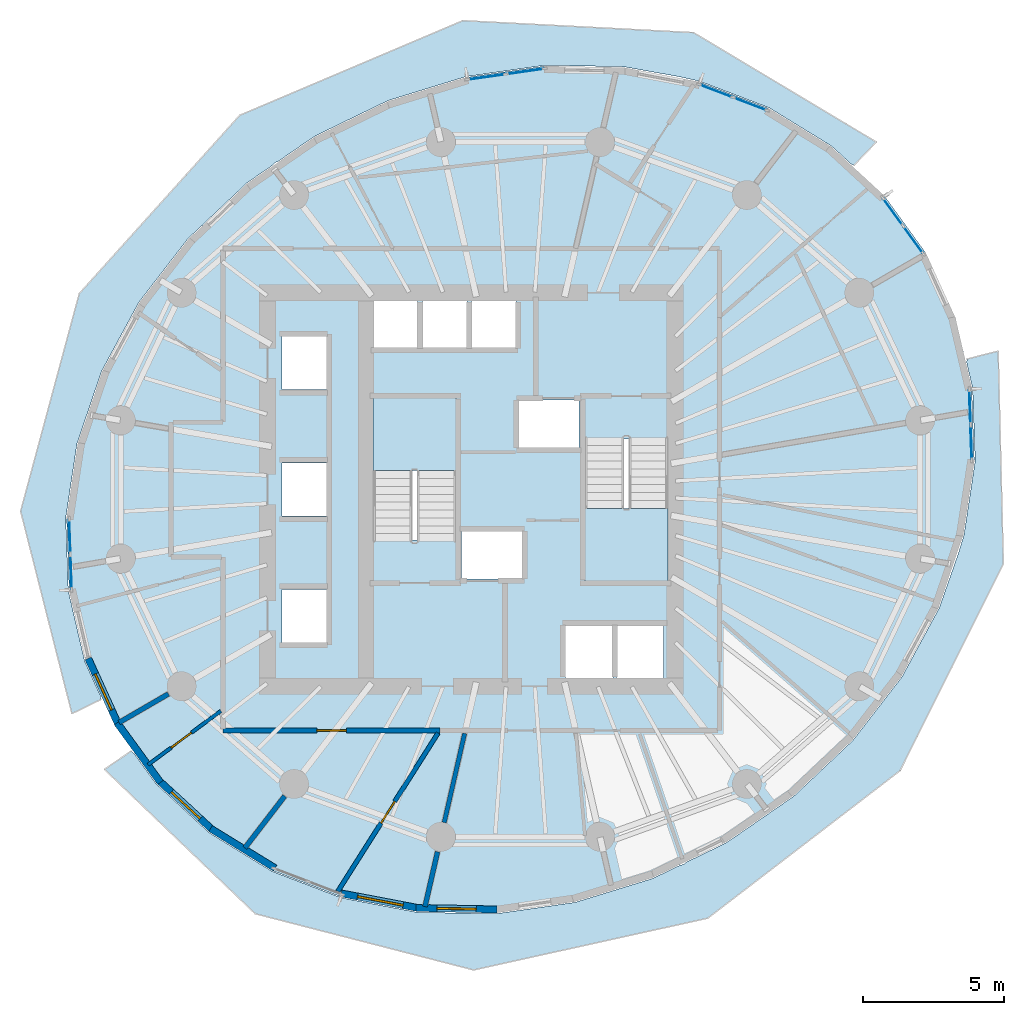
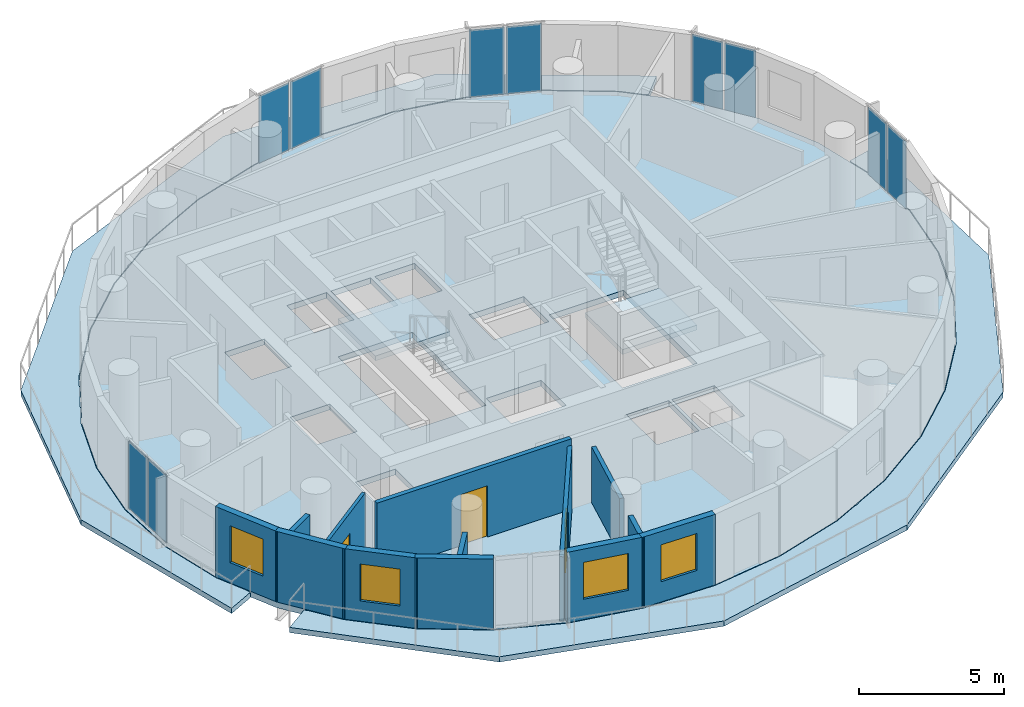
# One storey, part 5 of 14: 13 walls, 10 plates, 5 slabs, 4 windows, 3 doors, 7 openings, 7 elements without a shape of their own.
"""IFC4 building model written with IfcOpenShell, lengths in metres."""

import ifcopenshell
import ifcopenshell.guid

model = None  # the IFC model being written
_history = None  # IfcOwnerHistory: only IFC2X3 demands one
_inside = {}  # id of a spatial element -> (the spatial element, [elements in it])
_under = {}  # id of a project, library or spatial element -> (it, [spatial elements below it])
_declared = {}  # id of a project -> (the project, [libraries it declares])
_typed = {}  # id of a type object -> (the type object, [elements of that type])
_made_of = {}  # id of a material, layer set ... -> (it, [elements and type objects made of it])


def new_model(schema):
    """Start an empty IFC model of exactly this schema.

    Asked for "IFC4X3", IfcOpenShell would pick the latest addendum, in which some entities
    have other attributes; the version numbers below select the first issue.
    IFC2X3 requires an IfcOwnerHistory on every rooted entity: one is made here for all.
    """
    global model, _history
    if schema == "IFC4X3":
        model = ifcopenshell.file(schema_version=(4, 3, 0, 0))
    else:
        model = ifcopenshell.file(schema=schema)
    _inside.clear()
    _under.clear()
    _declared.clear()
    _typed.clear()
    _made_of.clear()
    _history = None
    if model.schema == "IFC2X3":
        org = make("IfcOrganization", Name="unknown")
        user = make(
            "IfcPersonAndOrganization",
            ThePerson=make("IfcPerson", FamilyName="unknown"),
            TheOrganization=org,
        )
        app = make(
            "IfcApplication",
            ApplicationDeveloper=org,
            Version="unknown",
            ApplicationFullName="unknown",
            ApplicationIdentifier="unknown",
        )
        _history = make(
            "IfcOwnerHistory",
            OwningUser=user,
            OwningApplication=app,
            ChangeAction="ADDED",
            CreationDate=0,
        )
    return model


def make(cls, **values):
    """One entity of the class cls with the attributes given. An attribute that is None is left unset."""
    return model.create_entity(
        cls, **{name: value for name, value in values.items() if value is not None}
    )


def rooted(cls, **values):
    """An entity with a GlobalId (a new one), such as an element, a storey or a relation."""
    return make(cls, GlobalId=ifcopenshell.guid.new(), OwnerHistory=_history, **values)


def si_unit(unit_type, name, prefix=None):
    """IfcSIUnit, for example si_unit("LENGTHUNIT", "METRE", prefix="MILLI")."""
    return make("IfcSIUnit", UnitType=unit_type, Prefix=prefix, Name=name)


def assignment(units):
    """IfcUnitAssignment: the units of a project."""
    return None if units is None else make("IfcUnitAssignment", Units=units)


def point(xyz):
    """IfcCartesianPoint."""
    return None if xyz is None else make("IfcCartesianPoint", Coordinates=xyz)


def direction(xyz):
    """IfcDirection."""
    return None if xyz is None else make("IfcDirection", DirectionRatios=xyz)


def frame(location, z_axis=None, x_axis=None):
    """IfcAxis2Placement3D, a coordinate frame: its origin and axes. An axis left out is left unset."""
    return make(
        "IfcAxis2Placement3D",
        Location=point(location),
        Axis=direction(z_axis),
        RefDirection=direction(x_axis),
    )


def frame_2d(location, x_axis=None):
    """IfcAxis2Placement2D, a coordinate frame in the plane: its origin and x axis."""
    return make(
        "IfcAxis2Placement2D", Location=point(location), RefDirection=direction(x_axis)
    )


def origin():
    """The frame at (0, 0, 0) with its axes left unset."""
    return frame((0.0, 0.0, 0.0))


def origin_2d():
    """The frame at (0, 0) in the plane with its x axis left unset."""
    return frame_2d((0.0, 0.0))


def place(relative_to, where):
    """IfcLocalPlacement: puts the frame where relative to a parent placement (None: the world)."""
    return make(
        "IfcLocalPlacement", PlacementRelTo=relative_to, RelativePlacement=where
    )


def context(
    kind, dimensions, precision=None, world=None, true_north=None, identifier=None
):
    """IfcGeometricRepresentationContext, for example the 3D "Model" context."""
    return make(
        "IfcGeometricRepresentationContext",
        ContextIdentifier=identifier,
        ContextType=kind,
        CoordinateSpaceDimension=dimensions,
        Precision=precision,
        WorldCoordinateSystem=world,
        TrueNorth=true_north,
    )


def subcontext(parent, identifier, kind, view, scale=None):
    """IfcGeometricRepresentationSubContext, for example "Body" below "Model"."""
    return make(
        "IfcGeometricRepresentationSubContext",
        ContextIdentifier=identifier,
        ContextType=kind,
        ParentContext=parent,
        TargetScale=scale,
        TargetView=view,
    )


def project(units=None, contexts=None):
    """IfcProject with its units and contexts."""
    return rooted(
        "IfcProject",
        Name="project",
        RepresentationContexts=contexts,
        UnitsInContext=assignment(units),
    )


def spatial(cls, under=None, at=None, **own):
    """A site, building, storey or space (cls), placed at a placement, below another one or the project."""
    s = rooted(cls, ObjectPlacement=at, **own)
    if under is not None:
        _under.setdefault(under.id(), (under, []))[1].append(s)
    return s


def polyline(points):
    """IfcPolyline through the points."""
    return make("IfcPolyline", Points=[point(p) for p in points])


def profile(cls, at=None, kind="AREA", **sizes):
    """A parametric profile (cls). Its sizes go by their IFC names, for example OverallWidth=200.0."""
    return make(cls, ProfileType=kind, Position=at, **sizes)


def rectangle(**sizes):
    """IfcRectangleProfileDef."""
    return profile("IfcRectangleProfileDef", **sizes)


def outline(outer, holes=None, kind="AREA"):
    """IfcArbitraryClosedProfileDef: a profile drawn as a closed curve; with holes, ...WithVoids."""
    if holes is None:
        return make("IfcArbitraryClosedProfileDef", ProfileType=kind, OuterCurve=outer)
    return make(
        "IfcArbitraryProfileDefWithVoids",
        ProfileType=kind,
        OuterCurve=outer,
        InnerCurves=holes,
    )


def extrude(swept, where, along, depth):
    """IfcExtrudedAreaSolid: the profile swept, set in the frame where, extruded along a direction by depth."""
    return make(
        "IfcExtrudedAreaSolid",
        SweptArea=swept,
        Position=where,
        ExtrudedDirection=direction(along),
        Depth=depth,
    )


def shape(context_of_items, identifier, shape_type, items):
    """IfcShapeRepresentation: the items that make up one representation, for example the "Body"."""
    return make(
        "IfcShapeRepresentation",
        ContextOfItems=context_of_items,
        RepresentationIdentifier=identifier,
        RepresentationType=shape_type,
        Items=items,
    )


def material(Name=None, Category=None):
    """IfcMaterial."""
    return make("IfcMaterial", Name=Name, Category=Category)


def layer(
    of_material, thickness, ventilated=None, Name=None, Category=None, Priority=None
):
    """IfcMaterialLayer: one layer of a wall or slab, of a material (None: an air gap)."""
    return make(
        "IfcMaterialLayer",
        Material=of_material,
        LayerThickness=thickness,
        IsVentilated=ventilated,
        Name=Name,
        Category=Category,
        Priority=Priority,
    )


def layer_set(layers, Name=None):
    """IfcMaterialLayerSet."""
    return make("IfcMaterialLayerSet", MaterialLayers=layers, LayerSetName=Name)


def made_of(thing, what):
    """Note that an element or type object is made of a material, layer set ...; save() writes the relation."""
    if what is not None:
        _made_of.setdefault(what.id(), (what, []))[1].append(thing)
    return thing


def type_object(cls, material=None, **own):
    """A type object (cls), such as IfcWallType, which elements share."""
    return made_of(rooted(cls, **own), material)


def element(
    cls,
    number,
    at=None,
    inside=None,
    cuts=None,
    type_object=None,
    material=None,
    context=None,
    identifier="Body",
    shape_type=None,
    held_by="IfcProductDefinitionShape",
    body=None,
    shapes=None,
    **own,
):
    """One element of the class cls, such as IfcWall. Its Tag is "e" and its number.

    at: its placement. inside: the storey or other place that contains it. cuts: it is an
    opening in that element (IfcRelVoidsElement). A single representation is given by context,
    identifier, shape_type and body (its items); several are given by shapes. held_by: the class
    of the entity that holds the representations. save() writes the other relations.
    """
    e = rooted(cls, Tag="e%d" % number, ObjectPlacement=at, **own)
    if body is not None:
        shapes = [shape(context, identifier, shape_type, body)]
    if shapes is not None:
        e.Representation = make(held_by, Representations=shapes)
    if inside is not None:
        _inside.setdefault(inside.id(), (inside, []))[1].append(e)
    if cuts is not None:
        rooted(
            "IfcRelVoidsElement", RelatingBuildingElement=cuts, RelatedOpeningElement=e
        )
    if type_object is not None:
        _typed.setdefault(type_object.id(), (type_object, []))[1].append(e)
    return made_of(e, material)


def fill(opening, filler):
    """IfcRelFillsElement: the door or window that sits in an opening."""
    return rooted(
        "IfcRelFillsElement",
        RelatingOpeningElement=opening,
        RelatedBuildingElement=filler,
    )


def aggregate(whole, parts):
    """IfcRelAggregates: a whole, such as a stair, and the parts it consists of."""
    return rooted("IfcRelAggregates", RelatingObject=whole, RelatedObjects=parts)


def save(model, path):
    """Write the relations noted so far, then the file.

    IfcRelAggregates (storeys below a building ...), IfcRelContainedInSpatialStructure (elements
    in a storey), IfcRelDefinesByType, IfcRelAssociatesMaterial and IfcRelDeclares: one each for
    every whole, place, type object, material and project.
    """
    for whole, parts in _under.values():
        aggregate(whole, parts)
    for where, things in _inside.values():
        rooted(
            "IfcRelContainedInSpatialStructure",
            RelatedElements=things,
            RelatingStructure=where,
        )
    for kind, things in _typed.values():
        rooted("IfcRelDefinesByType", RelatedObjects=things, RelatingType=kind)
    for what, things in _made_of.values():
        rooted("IfcRelAssociatesMaterial", RelatedObjects=things, RelatingMaterial=what)
    for by, libraries in _declared.values():
        rooted("IfcRelDeclares", RelatingContext=by, RelatedDefinitions=libraries)
    model.write(path)


model = new_model("IFC4")

# Units and contexts
model_context = context("Model", 3, precision=1e-05, world=origin(), true_north=direction((0.0, 1.0)))
body_context = subcontext(model_context, "Body", "Model", "MODEL_VIEW")
ifc_project = project(units=[si_unit("LENGTHUNIT", "METRE"), si_unit("AREAUNIT", "SQUARE_METRE"), si_unit("VOLUMEUNIT", "CUBIC_METRE"), si_unit("PLANEANGLEUNIT", "RADIAN"), si_unit("MASSUNIT", "GRAM", prefix="KILO")], contexts=[model_context])

# Site, building, storey
site_placement = place(None, origin())
site = spatial("IfcSite", under=ifc_project, at=site_placement, CompositionType="ELEMENT")
building_placement = place(site_placement, origin())
building = spatial("IfcBuilding", under=site, at=building_placement, Name="Veldorim Arch Residences", CompositionType="ELEMENT")
storey_placement = place(building_placement, frame((0.0, 0.0, 123.360107421875)))
storey = spatial("IfcBuildingStorey", under=building, at=storey_placement, Name="L36", CompositionType="ELEMENT", Elevation=123.360107421875)

# Slabs
ifc_material_1 = material(Name="Concrete C40/50", Category="concrete")
ifc_layer_1 = layer(ifc_material_1, 0.219970703125, Name="Planted Crescent Cantilever Balcony Slab 220")
ifc_layer_set_1 = layer_set([ifc_layer_1], Name="Concrete C40/50")
slab_type_1 = type_object("IfcSlabType", Name="Planted Crescent Cantilever Balcony Slab 220", PredefinedType="FLOOR", material=ifc_layer_set_1)
slab_1_placement = place(storey_placement, frame((0.0, 0.0, -0.22021484375)))
element("IfcSlab", 1, at=slab_1_placement, inside=storey, type_object=slab_type_1, Name="L36 planted crescent balcony slab A", PredefinedType="FLOOR", context=body_context, shape_type="SweptSolid", body=[
    extrude(outline(polyline([(43.74560546875, 35.593017578125), (43.071533203125, 36.213623046875), (40.849365234375, 37.578369140625), (38.358642578125, 38.5302734375), (37.673095703125, 38.68115234375), (35.674560546875, 39.04052734375), (32.87939453125, 39.09375), (30.057373046875, 38.688720703125), (27.294677734375, 37.83740234375), (24.6748046875, 36.56591796875), (23.388916015625, 35.67919921875), (23.24951171875, 35.617919921875), (23.159423828125, 35.52099609375), (22.27734375, 34.91259765625), (20.17529296875, 32.927978515625), (18.432373046875, 30.672119140625), (17.101318359375, 28.213134765625), (16.222900390625, 25.626220703125), (15.823974609375, 22.98974609375), (15.91650390625, 20.3837890625), (16.498046875, 17.887451171875), (17.048583984375, 16.678955078125), (17.075439453125, 16.53125), (16.0419921875, 16.026611328125), (14.21630859375, 23.227783203125), (16.30322265625, 30.971435546875), (22.011962890625, 37.314208984375), (29.949951171875, 40.68115234375), (38.159423828125, 40.25537109375), (44.6591796875, 36.36328125), (43.863037109375, 35.533447265625), (43.74560546875, 35.593017578125)])), origin(), (0.0, 0.0, 1.0), 0.22021484375),
])
slab_2_placement = place(storey_placement, frame((0.0, 0.0, -0.22021484375)))
element("IfcSlab", 2, at=slab_2_placement, inside=storey, type_object=slab_type_1, Name="L36 planted crescent balcony slab B", PredefinedType="FLOOR", context=body_context, shape_type="SweptSolid", body=[
    extrude(outline(polyline([(18.262451171875, 14.5966796875), (19.042724609375, 13.522216796875), (20.928466796875, 11.786376953125), (23.150634765625, 10.421630859375), (25.641357421875, 9.4697265625), (28.325439453125, 8.95947265625), (31.12060546875, 8.90625), (33.942626953125, 9.311279296875), (36.705322265625, 10.16259765625), (37.66943359375, 10.630615234375), (37.798095703125, 10.6611328125), (37.919921875, 10.752197265625), (39.3251953125, 11.43408203125), (41.72265625, 13.08740234375), (43.82470703125, 15.072021484375), (45.567626953125, 17.327880859375), (46.898681640625, 19.786865234375), (47.570556640625, 21.702880859375), (47.777099609375, 22.373779296875), (48.176025390625, 25.01025390625), (48.08349609375, 27.6162109375), (47.87548828125, 28.50830078125), (47.881591796875, 28.64013671875), (48.995849609375, 28.924072265625), (49.18017578125, 21.3505859375), (45.505615234375, 13.996826171875), (38.664306640625, 8.748291015625), (30.332275390625, 6.906005859375), (22.5654296875, 8.905517578125), (17.19873046875, 14.04248046875), (18.147216796875, 14.69287109375), (18.262451171875, 14.5966796875)])), origin(), (0.0, 0.0, 1.0), 0.22021484375),
])

# Stair, slab
ifc_material_2 = material(Name="Concrete C40/50", Category="concrete")
stair_type = type_object("IfcStairType", Name="Reinforced Concrete Dogleg Exit Staircase", PredefinedType="HALF_TURN_STAIR", material=ifc_material_2)
stair_1_placement = place(storey_placement, origin())
stair_1 = element("IfcStair", 3, at=stair_1_placement, inside=storey, type_object=stair_type, Name="L36 Exit Staircase ST-1", PredefinedType="HALF_TURN_STAIR")
ifc_material_3 = material(Name="Concrete C40/50", Category="concrete")
ifc_layer_2 = layer(ifc_material_3, 0.199951171875, Name="Reinforced Concrete Stair Landing 200")
ifc_layer_set_2 = layer_set([ifc_layer_2], Name="Concrete C40/50")
slab_type_2 = type_object("IfcSlabType", Name="Reinforced Concrete Stair Landing 200", PredefinedType="LANDING", material=ifc_layer_set_2)
slab_3_placement = place(storey_placement, frame((0.0, 0.0, 1.39990234375)))
slab_3 = element("IfcSlab", 4, at=slab_3_placement, type_object=slab_type_2, Name="ST-1 landing 1", PredefinedType="LANDING", context=body_context, shape_type="SweptSolid", body=[
    extrude(outline(polyline([(29.7099609375, 24.669921875), (29.7099609375, 27.25), (26.75, 27.25), (26.75, 24.669921875), (29.7099609375, 24.669921875)])), origin(), (0.0, 0.0, 1.0), 0.199951171875),
])
aggregate(stair_1, [slab_3])

stair_2_placement = place(storey_placement, origin())
stair_2 = element("IfcStair", 5, at=stair_2_placement, inside=storey, type_object=stair_type, Name="L36 Exit Staircase ST-2", PredefinedType="HALF_TURN_STAIR")
slab_4_placement = place(storey_placement, frame((0.0, 0.0, 1.39990234375)))
slab_4 = element("IfcSlab", 6, at=slab_4_placement, type_object=slab_type_2, Name="ST-2 landing 1", PredefinedType="LANDING", context=body_context, shape_type="SweptSolid", body=[
    extrude(outline(polyline([(34.2900390625, 23.330078125), (34.2900390625, 20.75), (37.25, 20.75), (37.25, 23.330078125), (34.2900390625, 23.330078125)])), origin(), (0.0, 0.0, 1.0), 0.199951171875),
])
aggregate(stair_2, [slab_4])

# Slab
ifc_material_4 = material(Name="Concrete C40/50", Category="concrete")
ifc_layer_3 = layer(ifc_material_4, 0.239990234375, Name="Typical Residential Floor Slab 240")
ifc_layer_set_3 = layer_set([ifc_layer_3], Name="Concrete C40/50")
slab_type_3 = type_object("IfcSlabType", Name="Typical Residential Floor Slab 240", PredefinedType="FLOOR", material=ifc_layer_set_3)
slab_5_placement = place(storey_placement, frame((0.0, 0.0, -0.239990234375)))
element("IfcSlab", 7, at=slab_5_placement, inside=storey, type_object=slab_type_3, Name="L36 tower structural floor slab", PredefinedType="FLOOR", context=body_context, shape_type="SweptSolid", body=[
    extrude(outline(polyline([(46.427490234375, 32.410400390625), (44.9384765625, 34.4609375), (43.056396484375, 36.193603515625), (40.83837890625, 37.555908203125), (38.351806640625, 38.506103515625), (35.672119140625, 39.015625), (32.880859375, 39.06884765625), (30.06298828125, 38.664306640625), (27.3037109375, 37.814208984375), (24.6875, 36.544189453125), (22.293212890625, 34.89306640625), (20.19384765625, 32.9111328125), (18.453369140625, 30.658203125), (17.12451171875, 28.203125), (16.247314453125, 25.620361328125), (15.84912109375, 22.98828125), (15.94140625, 20.38720703125), (16.521728515625, 17.8955078125), (17.572509765625, 15.589599609375), (19.0615234375, 13.5390625), (20.943603515625, 11.806396484375), (23.16162109375, 10.444091796875), (25.648193359375, 9.493896484375), (28.327880859375, 8.984375), (31.119140625, 8.93115234375), (33.93701171875, 9.335693359375), (36.6962890625, 10.185791015625), (39.3125, 11.455810546875), (41.706787109375, 13.10693359375), (43.80615234375, 15.0888671875), (45.546630859375, 17.341796875), (46.87548828125, 19.796875), (47.752685546875, 22.379638671875), (48.15087890625, 25.01171875), (48.05859375, 27.61279296875), (47.478271484375, 30.1044921875), (46.427490234375, 32.410400390625)]), holes=[polyline([(23.510009765625, 18.56005859375), (23.510009765625, 20.43994140625), (25.090087890625, 20.43994140625), (25.090087890625, 18.56005859375), (23.510009765625, 18.56005859375)]), polyline([(23.510009765625, 24.93994140625), (25.090087890625, 24.93994140625), (25.090087890625, 23.06005859375), (23.510009765625, 23.06005859375), (23.510009765625, 24.93994140625)]), polyline([(26.75, 27.25), (29.7099609375, 27.25), (29.7099609375, 22.195068359375), (26.75, 22.195068359375), (26.75, 27.25)]), polyline([(23.510009765625, 27.56005859375), (23.510009765625, 29.43994140625), (25.090087890625, 29.43994140625), (25.090087890625, 27.56005859375), (23.510009765625, 27.56005859375)]), polyline([(26.760009765625, 30.7900390625), (28.340087890625, 30.7900390625), (28.340087890625, 28.909912109375), (26.760009765625, 28.909912109375), (26.760009765625, 30.7900390625)]), polyline([(28.510009765625, 30.7900390625), (30.090087890625, 30.7900390625), (30.090087890625, 28.909912109375), (28.510009765625, 28.909912109375), (28.510009765625, 30.7900390625)]), polyline([(33.610107421875, 17.2099609375), (33.610107421875, 19.2900390625), (35.2900390625, 19.2900390625), (35.2900390625, 17.2099609375), (33.610107421875, 17.2099609375)]), polyline([(35.409912109375, 19.2900390625), (37.090087890625, 19.2900390625), (37.090087890625, 17.2099609375), (35.409912109375, 17.2099609375), (35.409912109375, 19.2900390625)]), polyline([(29.909912109375, 22.544921875), (32.090087890625, 22.544921875), (32.090087890625, 20.81494140625), (29.909912109375, 20.81494140625), (29.909912109375, 22.544921875)]), polyline([(34.2900390625, 20.75), (34.2900390625, 25.804931640625), (37.25, 25.804931640625), (37.25, 20.75), (34.2900390625, 20.75)]), polyline([(31.909912109375, 27.18505859375), (34.090087890625, 27.18505859375), (34.090087890625, 25.455078125), (31.909912109375, 25.455078125), (31.909912109375, 27.18505859375)]), polyline([(30.260009765625, 30.7900390625), (31.840087890625, 30.7900390625), (31.840087890625, 28.909912109375), (30.260009765625, 28.909912109375), (30.260009765625, 30.7900390625)])]), origin(), (0.0, 0.0, 1.0), 0.239990234375),
])

# Curtain wall, plates
ifc_material_5 = material(Name="Aluminium", Category="aluminium")
curtain_wall_type = type_object("IfcCurtainWallType", Name="Zone 3 High-Wind Unitised Curtain Wall", PredefinedType="NOTDEFINED", material=ifc_material_5)
curtain_wall_1_placement = place(storey_placement, origin())
curtain_wall_1 = element("IfcCurtainWall", 8, at=curtain_wall_1_placement, inside=storey, type_object=curtain_wall_type, Name="L36 unitised curtain wall bay 01", PredefinedType="NOTDEFINED")
ifc_material_6 = material(Name="Laminated Low-E Glass", Category="glass")
ifc_layer_4 = layer(ifc_material_6, 0.028076171875, Name="Zone 3 High-Wind Unitised Curtain Wall Glazing Panel 28")
ifc_layer_set_4 = layer_set([ifc_layer_4], Name="Laminated Low-E Glass")
plate_type = type_object("IfcPlateType", Name="Zone 3 High-Wind Unitised Curtain Wall Glazing Panel 28", PredefinedType="CURTAIN_PANEL", material=ifc_layer_set_4)
plate_1_placement = place(storey_placement, frame((45.248291015625, 33.88134765625, 0.06982421875), z_axis=(0.0, 0.0, 1.0), x_axis=(0.587584949886, -0.809162484713, 0.0)))
plate_1 = element("IfcPlate", 9, at=plate_1_placement, type_object=plate_type, Name="CW-Z3 panel 1.1", PredefinedType="CURTAIN_PANEL", context=body_context, shape_type="SweptSolid", body=[
    extrude(rectangle(XDim=1.162109375, YDim=0.028076171875, at=origin_2d()), origin(), (0.0, 0.0, 1.0), 2.820068359375),
])
plate_2_placement = place(storey_placement, frame((45.97216796875, 32.88427734375, 0.06982421875), z_axis=(0.0, 0.0, 1.0), x_axis=(0.587584949886, -0.809162484713, 0.0)))
plate_2 = element("IfcPlate", 10, at=plate_2_placement, type_object=plate_type, Name="CW-Z3 panel 2.1", PredefinedType="CURTAIN_PANEL", context=body_context, shape_type="SweptSolid", body=[
    extrude(rectangle(XDim=1.162109375, YDim=0.028076171875, at=origin_2d()), origin(), (0.0, 0.0, 1.0), 2.820068359375),
])
aggregate(curtain_wall_1, [plate_1, plate_2])

curtain_wall_2_placement = place(storey_placement, origin())
curtain_wall_2 = element("IfcCurtainWall", 11, at=curtain_wall_2_placement, inside=storey, type_object=curtain_wall_type, Name="L36 unitised curtain wall bay 04", PredefinedType="NOTDEFINED")
plate_3_placement = place(storey_placement, frame((38.95751953125, 38.17822265625, 0.06982421875), z_axis=(0.0, 0.0, 1.0), x_axis=(0.934109319568, -0.356987085335, 0.0)))
plate_3 = element("IfcPlate", 12, at=plate_3_placement, type_object=plate_type, Name="CW-Z3 panel 1.1", PredefinedType="CURTAIN_PANEL", context=body_context, shape_type="SweptSolid", body=[
    extrude(rectangle(XDim=1.22607421875, YDim=0.028076171875, at=origin_2d()), origin(), (0.0, 0.0, 1.0), 2.820068359375),
])
plate_4_placement = place(storey_placement, frame((40.168212890625, 37.715576171875, 0.06982421875), z_axis=(0.0, 0.0, 1.0), x_axis=(0.934109319568, -0.356987085335, 0.0)))
plate_4 = element("IfcPlate", 13, at=plate_4_placement, type_object=plate_type, Name="CW-Z3 panel 2.1", PredefinedType="CURTAIN_PANEL", context=body_context, shape_type="SweptSolid", body=[
    extrude(rectangle(XDim=1.22607421875, YDim=0.028076171875, at=origin_2d()), origin(), (0.0, 0.0, 1.0), 2.820068359375),
])
aggregate(curtain_wall_2, [plate_3, plate_4])

curtain_wall_3_placement = place(storey_placement, origin())
curtain_wall_3 = element("IfcCurtainWall", 14, at=curtain_wall_3_placement, inside=storey, type_object=curtain_wall_type, Name="L36 unitised curtain wall bay 07", PredefinedType="NOTDEFINED")
plate_5_placement = place(storey_placement, frame((30.797607421875, 38.6787109375, 0.06982421875), z_axis=(0.0, 0.0, 1.0), x_axis=(0.989849489651, 0.142119625096, 0.0)))
plate_5 = element("IfcPlate", 15, at=plate_5_placement, type_object=plate_type, Name="CW-Z3 panel 1.1", PredefinedType="CURTAIN_PANEL", context=body_context, shape_type="SweptSolid", body=[
    extrude(rectangle(XDim=1.318359375, YDim=0.028076171875, at=origin_2d()), origin(), (0.0, 0.0, 1.0), 2.820068359375),
])
plate_6_placement = place(storey_placement, frame((32.171875, 38.8759765625, 0.06982421875), z_axis=(0.0, 0.0, 1.0), x_axis=(0.989849489651, 0.142119625096, 0.0)))
plate_6 = element("IfcPlate", 16, at=plate_6_placement, type_object=plate_type, Name="CW-Z3 panel 2.1", PredefinedType="CURTAIN_PANEL", context=body_context, shape_type="SweptSolid", body=[
    extrude(rectangle(XDim=1.318359375, YDim=0.028076171875, at=origin_2d()), origin(), (0.0, 0.0, 1.0), 2.820068359375),
])
aggregate(curtain_wall_3, [plate_5, plate_6])

curtain_wall_4_placement = place(storey_placement, origin())
curtain_wall_4 = element("IfcCurtainWall", 17, at=curtain_wall_4_placement, inside=storey, type_object=curtain_wall_type, Name="L36 unitised curtain wall bay 16", PredefinedType="NOTDEFINED")
plate_7_placement = place(storey_placement, frame((16.007568359375, 21.05810546875, 0.06982421875), z_axis=(0.0, 0.0, 1.0), x_axis=(-0.035498313784, 0.999369736243, 0.0)))
plate_7 = element("IfcPlate", 18, at=plate_7_placement, type_object=plate_type, Name="CW-Z3 panel 1.1", PredefinedType="CURTAIN_PANEL", context=body_context, shape_type="SweptSolid", body=[
    extrude(rectangle(XDim=1.196533203125, YDim=0.028076171875, at=origin_2d()), origin(), (0.0, 0.0, 1.0), 2.820068359375),
])
plate_8_placement = place(storey_placement, frame((15.962646484375, 22.32373046875, 0.06982421875), z_axis=(0.0, 0.0, 1.0), x_axis=(-0.035498313784, 0.999369736243, 0.0)))
plate_8 = element("IfcPlate", 19, at=plate_8_placement, type_object=plate_type, Name="CW-Z3 panel 2.1", PredefinedType="CURTAIN_PANEL", context=body_context, shape_type="SweptSolid", body=[
    extrude(rectangle(XDim=1.196533203125, YDim=0.028076171875, at=origin_2d()), origin(), (0.0, 0.0, 1.0), 2.820068359375),
])
aggregate(curtain_wall_4, [plate_7, plate_8])

curtain_wall_5_placement = place(storey_placement, origin())
curtain_wall_5 = element("IfcCurtainWall", 20, at=curtain_wall_5_placement, inside=storey, type_object=curtain_wall_type, Name="L36 unitised curtain wall bay 34", PredefinedType="NOTDEFINED")
plate_9_placement = place(storey_placement, frame((47.992431640625, 26.94189453125, 0.06982421875), z_axis=(0.0, 0.0, 1.0), x_axis=(0.035498313784, -0.999369736243, 0.0)))
plate_9 = element("IfcPlate", 21, at=plate_9_placement, type_object=plate_type, Name="CW-Z3 panel 1.1", PredefinedType="CURTAIN_PANEL", context=body_context, shape_type="SweptSolid", body=[
    extrude(rectangle(XDim=1.196533203125, YDim=0.028076171875, at=origin_2d()), origin(), (0.0, 0.0, 1.0), 2.820068359375),
])
plate_10_placement = place(storey_placement, frame((48.037353515625, 25.67626953125, 0.06982421875), z_axis=(0.0, 0.0, 1.0), x_axis=(0.035498313784, -0.999369736243, 0.0)))
plate_10 = element("IfcPlate", 22, at=plate_10_placement, type_object=plate_type, Name="CW-Z3 panel 2.1", PredefinedType="CURTAIN_PANEL", context=body_context, shape_type="SweptSolid", body=[
    extrude(rectangle(XDim=1.196533203125, YDim=0.028076171875, at=origin_2d()), origin(), (0.0, 0.0, 1.0), 2.820068359375),
])
aggregate(curtain_wall_5, [plate_9, plate_10])

# Wall, opening, door
ifc_material_7 = material(Name="Acoustic Gypsum Board", Category="gypsum")
ifc_layer_5 = layer(ifc_material_7, 0.125, Name="Acoustic Stud Room Partition Wall 125")
ifc_layer_set_5 = layer_set([ifc_layer_5], Name="Acoustic Gypsum Board")
wall_type_1 = type_object("IfcWallType", Name="Acoustic Stud Room Partition Wall 125", PredefinedType="PARTITIONING", material=ifc_layer_set_5)
wall_1_placement = place(storey_placement, frame((18.749267578125, 14.20703125, 0.0), z_axis=(0.0, 0.0, 1.0), x_axis=(0.804182442208, 0.594382536456, 0.0)))
wall_1 = element("IfcWall", 23, at=wall_1_placement, inside=storey, type_object=wall_type_1, Name="L36 interior wall WL-RES-L36-031", PredefinedType="PARTITIONING", context=body_context, shape_type="SweptSolid", body=[
    extrude(rectangle(XDim=3.22119140625, YDim=0.125, at=frame_2d((1.610595703125, 0.0))), origin(), (0.0, 0.0, 1.0), 2.954833984375),
])
opening_1_placement = place(wall_1_placement, frame((1.0205078125, 0.0, 0.0)))
opening_1 = element("IfcOpeningElement", 24, at=opening_1_placement, cuts=wall_1, Name="Opening DR-INT", PredefinedType="OPENING", context=body_context, shape_type="SweptSolid", body=[
    extrude(rectangle(XDim=0.89990234375, YDim=2.10009765625, at=frame_2d((0.449951171875, 1.050048828125))), frame((0.0, 0.072509765625, 0.0), z_axis=(0.0, -1.0, 0.0), x_axis=(1.0, 0.0, 0.0)), (0.0, 0.0, 1.0), 0.14501953125),
])
ifc_material_8 = material(Name="Engineered Timber", Category="wood")
door_type_1 = type_object("IfcDoorType", Name="Apartment Internal Room Timber Door 900x2100", OperationType="SINGLE_SWING_LEFT", PredefinedType="DOOR", material=ifc_material_8)
door_1_placement = place(opening_1_placement, origin())
door_1 = element("IfcDoor", 25, at=door_1_placement, inside=storey, type_object=door_type_1, Name="L36 interior door DR-RES-L36-018", OperationType="SINGLE_SWING_RIGHT", OverallHeight=2.10009765625, OverallWidth=0.89990234375, PredefinedType="DOOR", context=body_context, shape_type="SweptSolid", body=[
    extrude(rectangle(XDim=0.89990234375, YDim=2.10009765625, at=frame_2d((0.449951171875, 1.050048828125))), frame((0.0, 0.02490234375, 0.0), z_axis=(0.0, -1.0, 0.0), x_axis=(1.0, 0.0, 0.0)), (0.0, 0.0, 1.0), 0.050048828125),
])
fill(opening_1, door_1)

# Walls
ifc_material_9 = material(Name="Lightweight Masonry Block & Gypsum", Category="masonry")
ifc_layer_6 = layer(ifc_material_9, 0.179931640625, Name="Compartment & Corridor Fire-Rated Party Wall 180")
ifc_layer_set_6 = layer_set([ifc_layer_6], Name="Lightweight Masonry Block & Gypsum")
wall_type_2 = type_object("IfcWallType", Name="Compartment & Corridor Fire-Rated Party Wall 180", PredefinedType="PARTITIONING", material=ifc_layer_set_6)
wall_2_placement = place(storey_placement, frame((19.472412109375, 16.72607421875, 0.0), z_axis=(0.0, 0.0, 1.0), x_axis=(-0.86481084581, -0.502097800203, 0.0)))
element("IfcWall", 26, at=wall_2_placement, inside=storey, type_object=wall_type_2, Name="L36 interior wall WL-PIER-L36-10", PredefinedType="PARTITIONING", context=body_context, shape_type="SweptSolid", body=[
    extrude(rectangle(XDim=2.030029296875, YDim=0.179931640625, at=frame_2d((1.01513671875, 0.0))), origin(), (0.0, 0.0, 1.0), 2.335693359375),
])
wall_3_placement = place(storey_placement, frame((23.612060546875, 13.091552734375, 0.0), z_axis=(0.0, 0.0, 1.0), x_axis=(-0.609553382458, -0.792745024541, 0.0)))
element("IfcWall", 27, at=wall_3_placement, inside=storey, type_object=wall_type_2, Name="L36 interior wall WL-PIER-L36-11", PredefinedType="PARTITIONING", context=body_context, shape_type="SweptSolid", body=[
    extrude(rectangle(XDim=2.32421875, YDim=0.179931640625, at=frame_2d((1.162109375, 0.0))), origin(), (0.0, 0.0, 1.0), 2.335693359375),
])
wall_4_placement = place(storey_placement, frame((29.049560546875, 11.11083984375, 0.0), z_axis=(0.0, 0.0, 1.0), x_axis=(-0.2231492674, -0.974784286116, 0.0)))
element("IfcWall", 28, at=wall_4_placement, inside=storey, type_object=wall_type_2, Name="L36 interior wall WL-PIER-L36-12", PredefinedType="PARTITIONING", context=body_context, shape_type="SweptSolid", body=[
    extrude(rectangle(XDim=2.002197265625, YDim=0.179931640625, at=frame_2d((1.0009765625, 0.0))), origin(), (0.0, 0.0, 1.0), 2.335693359375),
])

# Wall, opening, door
wall_5_placement = place(storey_placement, frame((29.141357421875, 15.419921875, 0.0), z_axis=(0.0, 0.0, 1.0), x_axis=(-1.0, 0.0, 0.0)))
wall_5 = element("IfcWall", 29, at=wall_5_placement, inside=storey, type_object=wall_type_2, Name="L36 interior wall WL-RES-L36-010", PredefinedType="PARTITIONING", context=body_context, shape_type="SweptSolid", body=[
    extrude(rectangle(XDim=7.721435546875, YDim=0.179931640625, at=frame_2d((3.86083984375, 0.0))), origin(), (0.0, 0.0, 1.0), 2.954833984375),
])
opening_2_placement = place(wall_5_placement, frame((3.335693359375, 0.0, 0.0)))
opening_2 = element("IfcOpeningElement", 30, at=opening_2_placement, cuts=wall_5, Name="Opening DR-FLT", PredefinedType="OPENING", context=body_context, shape_type="SweptSolid", body=[
    extrude(rectangle(XDim=1.050048828125, YDim=2.14990234375, at=frame_2d((0.52490234375, 1.074951171875))), frame((0.0, 0.099853515625, 0.0), z_axis=(0.0, -1.0, 0.0), x_axis=(1.0, 0.0, 0.0)), (0.0, 0.0, 1.0), 0.199951171875),
])
ifc_material_10 = material(Name="Fire-Rated Timber", Category="wood")
door_type_2 = type_object("IfcDoorType", Name="Apartment Entrance Solid-Core Fire Door 1050x2150", OperationType="SINGLE_SWING_LEFT", PredefinedType="DOOR", material=ifc_material_10)
door_2_placement = place(opening_2_placement, origin())
door_2 = element("IfcDoor", 31, at=door_2_placement, inside=storey, type_object=door_type_2, Name="L36 interior door DR-RES-L36-016", OperationType="SINGLE_SWING_RIGHT", OverallHeight=2.14990234375, OverallWidth=1.050048828125, PredefinedType="DOOR", context=body_context, shape_type="SweptSolid", body=[
    extrude(rectangle(XDim=1.050048828125, YDim=2.14990234375, at=frame_2d((0.52490234375, 1.074951171875))), frame((0.0, 0.02490234375, 0.0), z_axis=(0.0, -1.0, 0.0), x_axis=(1.0, 0.0, 0.0)), (0.0, 0.0, 1.0), 0.050048828125),
])
fill(opening_2, door_2)

# Wall, opening, window
ifc_material_11 = material(Name="Precast concrete C40/50", Category="concrete")
ifc_layer_7 = layer(ifc_material_11, 0.25, Name="Tower Terracotta Spandrel & Pier Wall 250")
ifc_layer_set_7 = layer_set([ifc_layer_7], Name="Precast concrete C40/50")
wall_type_3 = type_object("IfcWallType", Name="Tower Terracotta Spandrel & Pier Wall 250", PredefinedType="SOLIDWALL", material=ifc_layer_set_7)
wall_6_placement = place(storey_placement, frame((17.704833984375, 15.600341796875, 0.0), z_axis=(0.0, 0.0, 1.0), x_axis=(-0.41458087789, 0.910012470073, 0.0)))
wall_6 = element("IfcWall", 32, at=wall_6_placement, inside=storey, type_object=wall_type_3, Name="L36 terracotta facade wall 18", PredefinedType="SOLIDWALL", context=body_context, shape_type="SweptSolid", body=[
    extrude(rectangle(XDim=2.6240234375, YDim=0.25, at=frame_2d((1.31201171875, 0.0))), origin(), (0.0, 0.0, 1.0), 2.9599609375),
])
opening_3_placement = place(wall_6_placement, frame((0.612060546875, 0.0, 0.85009765625)))
opening_3 = element("IfcOpeningElement", 33, at=opening_3_placement, cuts=wall_6, Name="Opening WN-02", PredefinedType="OPENING", context=body_context, shape_type="SweptSolid", body=[
    extrude(rectangle(XDim=1.39990234375, YDim=1.550048828125, at=frame_2d((0.699951171875, 0.77490234375))), frame((0.0, 0.135009765625, 0.0), z_axis=(0.0, -1.0, 0.0), x_axis=(1.0, 0.0, 0.0)), (0.0, 0.0, 1.0), 0.27001953125),
])
ifc_material_12 = material(Name="Laminated Low-E Glass", Category="glass")
window_type_1 = type_object("IfcWindowType", Name="Residential Casement Window 1400x1550", PartitioningType="SINGLE_PANEL", PredefinedType="WINDOW", material=ifc_material_12)
window_1_placement = place(opening_3_placement, origin())
window_1 = element("IfcWindow", 34, at=window_1_placement, inside=storey, type_object=window_type_1, Name="L36 solar-control facade window 18", OverallHeight=1.550048828125, OverallWidth=1.39990234375, PartitioningType="SINGLE_PANEL", PredefinedType="WINDOW", context=body_context, shape_type="SweptSolid", body=[
    extrude(rectangle(XDim=1.39990234375, YDim=1.550048828125, at=frame_2d((0.699951171875, 0.77490234375))), frame((0.0, 0.030029296875, 0.0), z_axis=(0.0, -1.0, 0.0), x_axis=(1.0, 0.0, 0.0)), (0.0, 0.0, 1.0), 0.06005859375),
])
fill(opening_3, window_1)

# Wall
wall_7_placement = place(storey_placement, frame((19.189208984375, 13.575927734375, 0.0), z_axis=(0.0, 0.0, 1.0), x_axis=(-0.587574137145, 0.80917033643, 0.0)))
element("IfcWall", 35, at=wall_7_placement, inside=storey, type_object=wall_type_3, Name="L36 terracotta facade wall 19", PredefinedType="SOLIDWALL", context=body_context, shape_type="SweptSolid", body=[
    extrude(rectangle(XDim=2.624267578125, YDim=0.25, at=frame_2d((1.31201171875, 0.0))), origin(), (0.0, 0.0, 1.0), 2.9599609375),
])

# Wall, opening, window
wall_8_placement = place(storey_placement, frame((21.061279296875, 11.867919921875, 0.0), z_axis=(0.0, 0.0, 1.0), x_axis=(-0.73572884951, 0.677276206579, 0.0)))
wall_8 = element("IfcWall", 36, at=wall_8_placement, inside=storey, type_object=wall_type_3, Name="L36 terracotta facade wall 20", PredefinedType="SOLIDWALL", context=body_context, shape_type="SweptSolid", body=[
    extrude(rectangle(XDim=2.64794921875, YDim=0.25, at=frame_2d((1.323974609375, 0.0))), origin(), (0.0, 0.0, 1.0), 2.9599609375),
])
opening_4_placement = place(wall_8_placement, frame((0.6240234375, 0.0, 0.85009765625)))
opening_4 = element("IfcOpeningElement", 37, at=opening_4_placement, cuts=wall_8, Name="Opening WN-02", PredefinedType="OPENING", context=body_context, shape_type="SweptSolid", body=[
    extrude(rectangle(XDim=1.39990234375, YDim=1.550048828125, at=frame_2d((0.699951171875, 0.77490234375))), frame((0.0, 0.135009765625, 0.0), z_axis=(0.0, -1.0, 0.0), x_axis=(1.0, 0.0, 0.0)), (0.0, 0.0, 1.0), 0.27001953125),
])
window_2_placement = place(opening_4_placement, origin())
window_2 = element("IfcWindow", 38, at=window_2_placement, inside=storey, type_object=window_type_1, Name="L36 solar-control facade window 20", OverallHeight=1.550048828125, OverallWidth=1.39990234375, PartitioningType="SINGLE_PANEL", PredefinedType="WINDOW", context=body_context, shape_type="SweptSolid", body=[
    extrude(rectangle(XDim=1.39990234375, YDim=1.550048828125, at=frame_2d((0.699951171875, 0.77490234375))), frame((0.0, 0.030029296875, 0.0), z_axis=(0.0, -1.0, 0.0), x_axis=(1.0, 0.0, 0.0)), (0.0, 0.0, 1.0), 0.06005859375),
])
fill(opening_4, window_2)

# Wall
wall_9_placement = place(storey_placement, frame((23.265380859375, 10.527099609375, 0.0), z_axis=(0.0, 0.0, 1.0), x_axis=(-0.852103133134, 0.523373910797, 0.0)))
element("IfcWall", 39, at=wall_9_placement, inside=storey, type_object=wall_type_3, Name="L36 terracotta facade wall 21", PredefinedType="SOLIDWALL", context=body_context, shape_type="SweptSolid", body=[
    extrude(rectangle(XDim=2.69287109375, YDim=0.25, at=frame_2d((1.346435546875, 0.0))), origin(), (0.0, 0.0, 1.0), 2.9599609375),
])

# Wall, opening, window
wall_10_placement = place(storey_placement, frame((28.3955078125, 9.098876953125, 0.0), z_axis=(0.0, 0.0, 1.0), x_axis=(-0.982412055756, 0.18672587583, 0.0)))
wall_10 = element("IfcWall", 40, at=wall_10_placement, inside=storey, type_object=wall_type_3, Name="L36 terracotta facade wall 23", PredefinedType="SOLIDWALL", context=body_context, shape_type="SweptSolid", body=[
    extrude(rectangle(XDim=2.817626953125, YDim=0.25, at=frame_2d((1.40869140625, 0.0))), origin(), (0.0, 0.0, 1.0), 2.9599609375),
])
opening_5_placement = place(wall_10_placement, frame((0.583984375, 0.0, 0.85009765625)))
opening_5 = element("IfcOpeningElement", 41, at=opening_5_placement, cuts=wall_10, Name="Opening WN-03", PredefinedType="OPENING", context=body_context, shape_type="SweptSolid", body=[
    extrude(rectangle(XDim=1.64990234375, YDim=1.550048828125, at=frame_2d((0.824951171875, 0.77490234375))), frame((0.0, 0.135009765625, 0.0), z_axis=(0.0, -1.0, 0.0), x_axis=(1.0, 0.0, 0.0)), (0.0, 0.0, 1.0), 0.27001953125),
])
ifc_material_13 = material(Name="Laminated Low-E Glass", Category="glass")
window_type_2 = type_object("IfcWindowType", Name="Residential Wide Window 1650x1550", PartitioningType="SINGLE_PANEL", PredefinedType="WINDOW", material=ifc_material_13)
window_3_placement = place(opening_5_placement, origin())
window_3 = element("IfcWindow", 42, at=window_3_placement, inside=storey, type_object=window_type_2, Name="L36 solar-control facade window 23", OverallHeight=1.550048828125, OverallWidth=1.64990234375, PartitioningType="SINGLE_PANEL", PredefinedType="WINDOW", context=body_context, shape_type="SweptSolid", body=[
    extrude(rectangle(XDim=1.64990234375, YDim=1.550048828125, at=frame_2d((0.824951171875, 0.77490234375))), frame((0.0, 0.030029296875, 0.0), z_axis=(0.0, -1.0, 0.0), x_axis=(1.0, 0.0, 0.0)), (0.0, 0.0, 1.0), 0.06005859375),
])
fill(opening_5, window_3)

wall_11_placement = place(storey_placement, frame((31.16650390625, 9.055419921875, 0.0), z_axis=(0.0, 0.0, 1.0), x_axis=(-0.99981990109, 0.018978023714, 0.0)))
wall_11 = element("IfcWall", 43, at=wall_11_placement, inside=storey, type_object=wall_type_3, Name="L36 terracotta facade wall 24", PredefinedType="SOLIDWALL", context=body_context, shape_type="SweptSolid", body=[
    extrude(rectangle(XDim=2.881591796875, YDim=0.25, at=frame_2d((1.44091796875, 0.0))), origin(), (0.0, 0.0, 1.0), 2.9599609375),
])
opening_6_placement = place(wall_11_placement, frame((0.740966796875, 0.0, 0.85009765625)))
opening_6 = element("IfcOpeningElement", 44, at=opening_6_placement, cuts=wall_11, Name="Opening WN-02", PredefinedType="OPENING", context=body_context, shape_type="SweptSolid", body=[
    extrude(rectangle(XDim=1.39990234375, YDim=1.550048828125, at=frame_2d((0.699951171875, 0.77490234375))), frame((0.0, 0.135009765625, 0.0), z_axis=(0.0, -1.0, 0.0), x_axis=(1.0, 0.0, 0.0)), (0.0, 0.0, 1.0), 0.27001953125),
])
window_4_placement = place(opening_6_placement, origin())
window_4 = element("IfcWindow", 45, at=window_4_placement, inside=storey, type_object=window_type_1, Name="L36 solar-control facade window 24", OverallHeight=1.550048828125, OverallWidth=1.39990234375, PartitioningType="SINGLE_PANEL", PredefinedType="WINDOW", context=body_context, shape_type="SweptSolid", body=[
    extrude(rectangle(XDim=1.39990234375, YDim=1.550048828125, at=frame_2d((0.699951171875, 0.77490234375))), frame((0.0, 0.030029296875, 0.0), z_axis=(0.0, -1.0, 0.0), x_axis=(1.0, 0.0, 0.0)), (0.0, 0.0, 1.0), 0.06005859375),
])
fill(opening_6, window_4)

# Wall
ifc_material_14 = material(Name="Moisture-Resistant Gypsum & Stud", Category="gypsum")
ifc_layer_8 = layer(ifc_material_14, 0.159912109375, Name="Wet-Area Moisture-Resistant Plumbing Wall 160")
ifc_layer_set_8 = layer_set([ifc_layer_8], Name="Moisture-Resistant Gypsum & Stud")
wall_type_4 = type_object("IfcWallType", Name="Wet-Area Moisture-Resistant Plumbing Wall 160", PredefinedType="PLUMBINGWALL", material=ifc_layer_set_8)
wall_12_placement = place(storey_placement, frame((29.287109375, 12.14892578125, 0.0), z_axis=(0.0, 0.0, 1.0), x_axis=(0.223166862669, 0.97478025801, 0.0)))
element("IfcWall", 46, at=wall_12_placement, inside=storey, type_object=wall_type_4, Name="L36 interior wall WL-RES-L36-017", PredefinedType="PLUMBINGWALL", context=body_context, shape_type="SweptSolid", body=[
    extrude(rectangle(XDim=3.255615234375, YDim=0.159912109375, at=frame_2d((1.6279296875, 0.0))), origin(), (0.0, 0.0, 1.0), 2.335693359375),
])

# Wall, opening, door
wall_13_placement = place(storey_placement, frame((29.06787109375, 15.33544921875, 0.0), z_axis=(0.0, 0.0, 1.0), x_axis=(-0.534879638081, -0.844928264864, 0.0)))
wall_13 = element("IfcWall", 47, at=wall_13_placement, inside=storey, type_object=wall_type_4, Name="L36 interior wall WL-RES-L36-030", PredefinedType="PLUMBINGWALL", context=body_context, shape_type="SweptSolid", body=[
    extrude(rectangle(XDim=6.66943359375, YDim=0.159912109375, at=frame_2d((3.334716796875, 0.0))), origin(), (0.0, 0.0, 1.0), 2.69189453125),
])
opening_7_placement = place(wall_13_placement, frame((2.884765625, 0.0, 0.0)))
opening_7 = element("IfcOpeningElement", 48, at=opening_7_placement, cuts=wall_13, Name="Opening DR-WC", PredefinedType="OPENING", context=body_context, shape_type="SweptSolid", body=[
    extrude(rectangle(XDim=0.89990234375, YDim=2.10009765625, at=frame_2d((0.449951171875, 1.050048828125))), frame((0.0, 0.08984375, 0.0), z_axis=(0.0, -1.0, 0.0), x_axis=(1.0, 0.0, 0.0)), (0.0, 0.0, 1.0), 0.179931640625),
])
ifc_material_15 = material(Name="Laminate Timber", Category="wood")
door_type_3 = type_object("IfcDoorType", Name="Bathroom & Accessible WC Moisture-Sealed Door 900x2100", OperationType="SINGLE_SWING_LEFT", PredefinedType="DOOR", material=ifc_material_15)
door_3_placement = place(opening_7_placement, origin())
door_3 = element("IfcDoor", 49, at=door_3_placement, inside=storey, type_object=door_type_3, Name="L36 interior door DR-RES-L36-017", OperationType="SINGLE_SWING_LEFT", OverallHeight=2.10009765625, OverallWidth=0.89990234375, PredefinedType="DOOR", context=body_context, shape_type="SweptSolid", body=[
    extrude(rectangle(XDim=0.89990234375, YDim=2.10009765625, at=frame_2d((0.449951171875, 1.050048828125))), frame((0.0, 0.02490234375, 0.0), z_axis=(0.0, -1.0, 0.0), x_axis=(1.0, 0.0, 0.0)), (0.0, 0.0, 1.0), 0.050048828125),
])
fill(opening_7, door_3)

save(model, "model.ifc")
